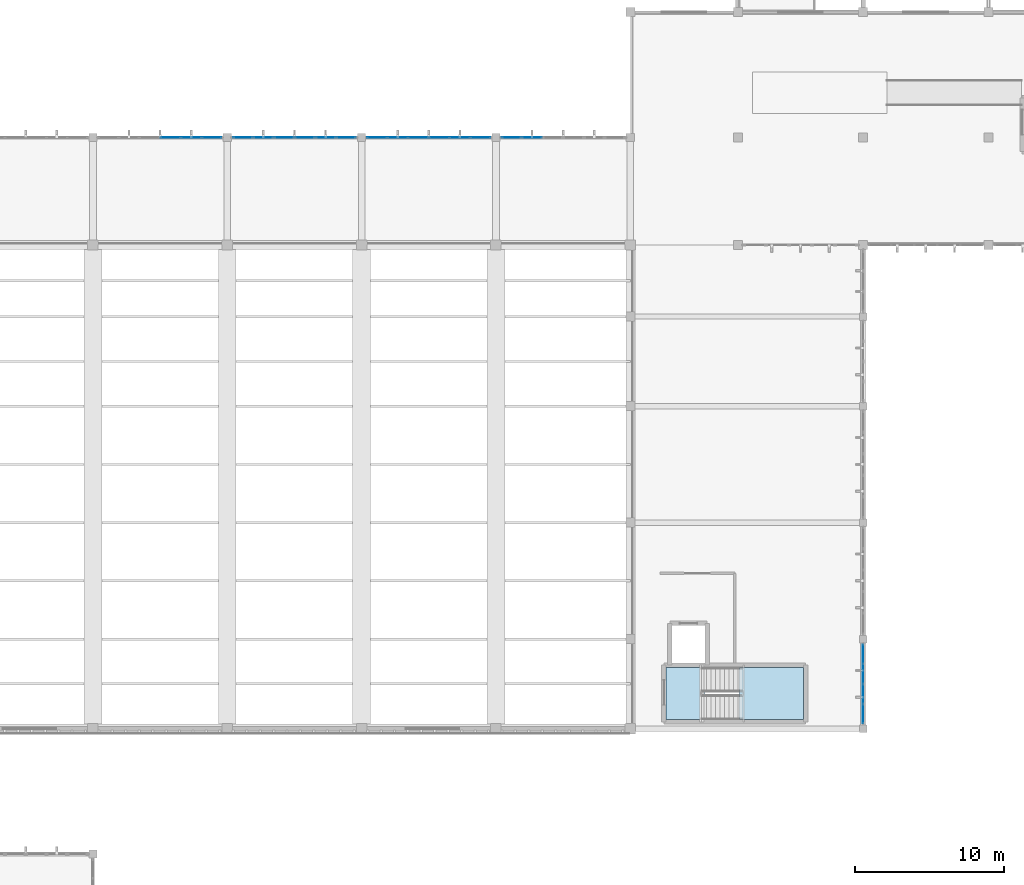
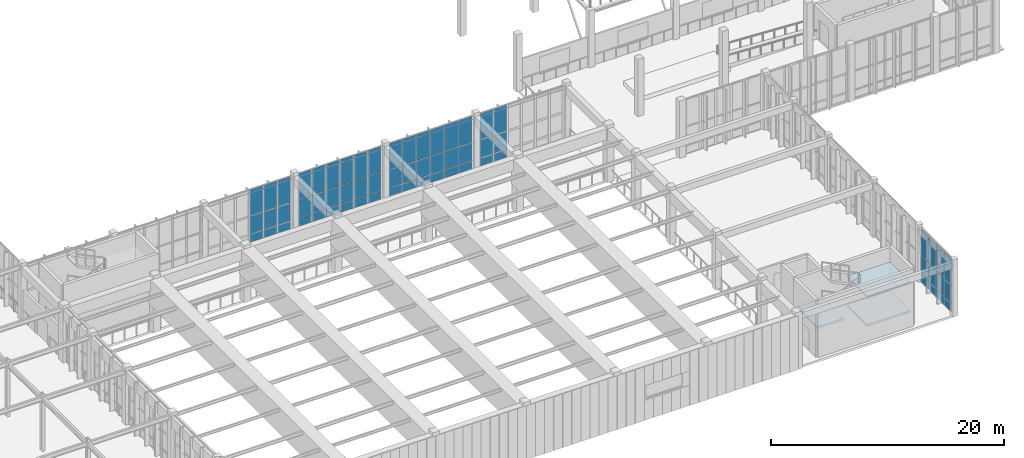
# One storey, part 64 of 105: 63 plates, 3 slabs, 6 elements without a shape of their own.
"""IFC4 building model written with IfcOpenShell, lengths in metres."""

from ifc_helpers import new_model, si_unit, direction, frame, origin, origin_2d, place, context, subcontext, project, spatial, polyline, rectangle, outline, extrude, material, layer, layer_set, type_object, element, aggregate, save


model = new_model("IFC4")

# Units and contexts
model_context = context("Model", 3, precision=1e-05, world=origin(), true_north=direction((0.0, 1.0)))
body_context = subcontext(model_context, "Body", "Model", "MODEL_VIEW")
ifc_project = project(units=[si_unit("LENGTHUNIT", "METRE"), si_unit("AREAUNIT", "SQUARE_METRE"), si_unit("VOLUMEUNIT", "CUBIC_METRE"), si_unit("PLANEANGLEUNIT", "RADIAN"), si_unit("MASSUNIT", "GRAM", prefix="KILO")], contexts=[model_context])

# Site, building, storey
site_placement = place(None, origin())
site = spatial("IfcSite", under=ifc_project, at=site_placement, CompositionType="ELEMENT")
building_placement = place(site_placement, origin())
building = spatial("IfcBuilding", under=site, at=building_placement, Name="Tizgana Railside Sports Hall", CompositionType="ELEMENT")
storey_placement = place(building_placement, frame((0.0, 0.0, 6.0)))
storey = spatial("IfcBuildingStorey", under=building, at=storey_placement, Name="L01", CompositionType="ELEMENT", Elevation=6.0)

# Curtain wall, plates
ifc_material_1 = material(Name="Anodised aluminium and glass", Category="aluminium")
curtain_wall_type_1 = type_object("IfcCurtainWallType", Name="Unitised Curtain Wall Passage 1800", PredefinedType="NOTDEFINED", material=ifc_material_1)
curtain_wall_1_placement = place(storey_placement, origin())
curtain_wall_1 = element("IfcCurtainWall", 1, at=curtain_wall_1_placement, inside=storey, type_object=curtain_wall_type_1, Name="L01 Curtain Wall CW-0021", PredefinedType="NOTDEFINED")
ifc_material_2 = material(Name="Double low-E laminated glass", Category="glass")
ifc_layer_1 = layer(ifc_material_2, 0.033935546875, Name="Double low-E laminated glass")
ifc_layer_set_1 = layer_set([ifc_layer_1], Name="Double low-E laminated glass")
plate_type_1 = type_object("IfcPlateType", Name="Acoustic Laminated Glazing Panel 34", PredefinedType="CURTAIN_PANEL", material=ifc_layer_set_1)
plate_1_placement = place(storey_placement, frame((102.9951171875, 80.39990234375, 0.06494140625), z_axis=(0.0, 0.0, 1.0), x_axis=(1.0, 0.0, 0.0)))
plate_1 = element("IfcPlate", 2, at=plate_1_placement, type_object=plate_type_1, Name="CW-06 panel 4.1", PredefinedType="CURTAIN_PANEL", context=body_context, shape_type="SweptSolid", body=[
    extrude(rectangle(XDim=1.324951171875, YDim=0.033935546875, at=origin_2d()), origin(), (0.0, 0.0, 1.0), 0.802490234375),
])
plate_2_placement = place(storey_placement, frame((102.9951171875, 80.39990234375, 0.9326171875), z_axis=(0.0, 0.0, 1.0), x_axis=(1.0, 0.0, 0.0)))
plate_2 = element("IfcPlate", 3, at=plate_2_placement, type_object=plate_type_1, Name="CW-06 panel 4.2", PredefinedType="CURTAIN_PANEL", context=body_context, shape_type="SweptSolid", body=[
    extrude(rectangle(XDim=1.324951171875, YDim=0.033935546875, at=origin_2d()), origin(), (0.0, 0.0, 1.0), 1.85498046875),
])
plate_3_placement = place(storey_placement, frame((102.9951171875, 80.39990234375, 2.8525390625), z_axis=(0.0, 0.0, 1.0), x_axis=(1.0, 0.0, 0.0)))
plate_3 = element("IfcPlate", 4, at=plate_3_placement, type_object=plate_type_1, Name="CW-06 panel 4.3", PredefinedType="CURTAIN_PANEL", context=body_context, shape_type="SweptSolid", body=[
    extrude(rectangle(XDim=1.324951171875, YDim=0.033935546875, at=origin_2d()), origin(), (0.0, 0.0, 1.0), 2.722412109375),
])
plate_4_placement = place(storey_placement, frame((104.385009765625, 80.39990234375, 0.06494140625), z_axis=(0.0, 0.0, 1.0), x_axis=(1.0, 0.0, 0.0)))
plate_4 = element("IfcPlate", 5, at=plate_4_placement, type_object=plate_type_1, Name="CW-06 panel 5.1", PredefinedType="CURTAIN_PANEL", context=body_context, shape_type="SweptSolid", body=[
    extrude(rectangle(XDim=1.324951171875, YDim=0.033935546875, at=origin_2d()), origin(), (0.0, 0.0, 1.0), 0.802490234375),
])
plate_5_placement = place(storey_placement, frame((104.385009765625, 80.39990234375, 0.9326171875), z_axis=(0.0, 0.0, 1.0), x_axis=(1.0, 0.0, 0.0)))
plate_5 = element("IfcPlate", 6, at=plate_5_placement, type_object=plate_type_1, Name="CW-06 panel 5.2", PredefinedType="CURTAIN_PANEL", context=body_context, shape_type="SweptSolid", body=[
    extrude(rectangle(XDim=1.324951171875, YDim=0.033935546875, at=origin_2d()), origin(), (0.0, 0.0, 1.0), 1.85498046875),
])
plate_6_placement = place(storey_placement, frame((104.385009765625, 80.39990234375, 2.8525390625), z_axis=(0.0, 0.0, 1.0), x_axis=(1.0, 0.0, 0.0)))
plate_6 = element("IfcPlate", 7, at=plate_6_placement, type_object=plate_type_1, Name="CW-06 panel 5.3", PredefinedType="CURTAIN_PANEL", context=body_context, shape_type="SweptSolid", body=[
    extrude(rectangle(XDim=1.324951171875, YDim=0.033935546875, at=origin_2d()), origin(), (0.0, 0.0, 1.0), 2.722412109375),
])
plate_7_placement = place(storey_placement, frame((105.7587890625, 80.39990234375, 0.06494140625), z_axis=(0.0, 0.0, 1.0), x_axis=(1.0, 0.0, 0.0)))
plate_7 = element("IfcPlate", 8, at=plate_7_placement, type_object=plate_type_1, Name="CW-06 panel 6.1", PredefinedType="CURTAIN_PANEL", context=body_context, shape_type="SweptSolid", body=[
    extrude(rectangle(XDim=1.29248046875, YDim=0.033935546875, at=origin_2d()), origin(), (0.0, 0.0, 1.0), 0.802490234375),
])
plate_8_placement = place(storey_placement, frame((105.7587890625, 80.39990234375, 0.9326171875), z_axis=(0.0, 0.0, 1.0), x_axis=(1.0, 0.0, 0.0)))
plate_8 = element("IfcPlate", 9, at=plate_8_placement, type_object=plate_type_1, Name="CW-06 panel 6.2", PredefinedType="CURTAIN_PANEL", context=body_context, shape_type="SweptSolid", body=[
    extrude(rectangle(XDim=1.29248046875, YDim=0.033935546875, at=origin_2d()), origin(), (0.0, 0.0, 1.0), 1.85498046875),
])
plate_9_placement = place(storey_placement, frame((105.7587890625, 80.39990234375, 2.8525390625), z_axis=(0.0, 0.0, 1.0), x_axis=(1.0, 0.0, 0.0)))
plate_9 = element("IfcPlate", 10, at=plate_9_placement, type_object=plate_type_1, Name="CW-06 panel 6.3", PredefinedType="CURTAIN_PANEL", context=body_context, shape_type="SweptSolid", body=[
    extrude(rectangle(XDim=1.29248046875, YDim=0.033935546875, at=origin_2d()), origin(), (0.0, 0.0, 1.0), 2.722412109375),
])
aggregate(curtain_wall_1, [plate_1, plate_2, plate_3, plate_4, plate_5, plate_6, plate_7, plate_8, plate_9])

# Stair, slabs
ifc_material_3 = material(Name="Concrete C35/45", Category="concrete")
stair_type = type_object("IfcStairType", Name="Core Protected Stair 1500", PredefinedType="HALF_TURN_STAIR", material=ifc_material_3)
stair_placement = place(storey_placement, origin())
stair = element("IfcStair", 11, at=stair_placement, inside=storey, type_object=stair_type, Name="L01 Core Stair ST-05", PredefinedType="HALF_TURN_STAIR")
ifc_layer_2 = layer(ifc_material_3, 0.199951171875, Name="Concrete C35/45")
ifc_layer_set_2 = layer_set([ifc_layer_2], Name="Concrete C35/45")
slab_type = type_object("IfcSlabType", Name="Core Stair Landing Slab 200", PredefinedType="LANDING", material=ifc_layer_set_2)
slab_1_placement = place(storey_placement, frame((0.0, 0.0, 1.300048828125)))
slab_1 = element("IfcSlab", 12, at=slab_1_placement, type_object=slab_type, Name="ST-05 landing 1", PredefinedType="LANDING", context=body_context, shape_type="SweptSolid", body=[
    extrude(outline(polyline([(141.1201171875, 41.39990234375), (145.39990234375, 41.39990234375), (145.39990234375, 44.89990234375), (141.1201171875, 44.89990234375), (141.1201171875, 41.39990234375)])), origin(), (0.0, 0.0, 1.0), 0.199951171875),
])
slab_2_placement = place(storey_placement, frame((0.0, 0.0, 2.800048828125)))
slab_2 = element("IfcSlab", 13, at=slab_2_placement, type_object=slab_type, Name="ST-05 landing 2", PredefinedType="LANDING", context=body_context, shape_type="SweptSolid", body=[
    extrude(outline(polyline([(136.199951171875, 41.39990234375), (138.780029296875, 41.39990234375), (138.780029296875, 44.89990234375), (136.199951171875, 44.89990234375), (136.199951171875, 41.39990234375)])), origin(), (0.0, 0.0, 1.0), 0.199951171875),
])
slab_3_placement = place(storey_placement, frame((0.0, 0.0, 4.300048828125)))
slab_3 = element("IfcSlab", 14, at=slab_3_placement, type_object=slab_type, Name="ST-05 landing 3", PredefinedType="LANDING", context=body_context, shape_type="SweptSolid", body=[
    extrude(outline(polyline([(141.1201171875, 41.39990234375), (145.39990234375, 41.39990234375), (145.39990234375, 44.89990234375), (141.1201171875, 44.89990234375), (141.1201171875, 41.39990234375)])), origin(), (0.0, 0.0, 1.0), 0.199951171875),
])
aggregate(stair, [slab_1, slab_2, slab_3])

# Curtain wall, plates
curtain_wall_type_2 = type_object("IfcCurtainWallType", Name="Unitised Curtain Wall Studio 1400", PredefinedType="NOTDEFINED", material=ifc_material_1)
curtain_wall_2_placement = place(storey_placement, origin())
curtain_wall_2 = element("IfcCurtainWall", 15, at=curtain_wall_2_placement, inside=storey, type_object=curtain_wall_type_2, Name="L01 Curtain Wall CW-0026", PredefinedType="NOTDEFINED")
ifc_layer_3 = layer(ifc_material_2, 0.0400390625, Name="Double low-E laminated glass")
ifc_layer_set_3 = layer_set([ifc_layer_3], Name="Double low-E laminated glass")
plate_type_2 = type_object("IfcPlateType", Name="High-Span Tempered Glazing Panel 40", PredefinedType="CURTAIN_PANEL", material=ifc_layer_set_3)
plate_10_placement = place(storey_placement, frame((116.840087890625, 80.39990234375, 0.06005859375), z_axis=(0.0, 0.0, 1.0), x_axis=(1.0, 0.0, 0.0)))
plate_10 = element("IfcPlate", 16, at=plate_10_placement, type_object=plate_type_2, Name="CW-03 panel 1.1", PredefinedType="CURTAIN_PANEL", context=body_context, shape_type="SweptSolid", body=[
    extrude(rectangle(XDim=1.300048828125, YDim=0.0400390625, at=origin_2d()), origin(), (0.0, 0.0, 1.0), 0.81005859375),
])
plate_11_placement = place(storey_placement, frame((116.840087890625, 80.39990234375, 0.93017578125), z_axis=(0.0, 0.0, 1.0), x_axis=(1.0, 0.0, 0.0)))
plate_11 = element("IfcPlate", 17, at=plate_11_placement, type_object=plate_type_2, Name="CW-03 panel 1.2", PredefinedType="CURTAIN_PANEL", context=body_context, shape_type="SweptSolid", body=[
    extrude(rectangle(XDim=1.300048828125, YDim=0.0400390625, at=origin_2d()), origin(), (0.0, 0.0, 1.0), 1.860107421875),
])
plate_12_placement = place(storey_placement, frame((116.840087890625, 80.39990234375, 2.85009765625), z_axis=(0.0, 0.0, 1.0), x_axis=(1.0, 0.0, 0.0)))
plate_12 = element("IfcPlate", 18, at=plate_12_placement, type_object=plate_type_2, Name="CW-03 panel 1.3", PredefinedType="CURTAIN_PANEL", context=body_context, shape_type="SweptSolid", body=[
    extrude(rectangle(XDim=1.300048828125, YDim=0.0400390625, at=origin_2d()), origin(), (0.0, 0.0, 1.0), 2.72998046875),
])
plate_13_placement = place(storey_placement, frame((118.215087890625, 80.39990234375, 0.06005859375), z_axis=(0.0, 0.0, 1.0), x_axis=(1.0, 0.0, 0.0)))
plate_13 = element("IfcPlate", 19, at=plate_13_placement, type_object=plate_type_2, Name="CW-03 panel 2.1", PredefinedType="CURTAIN_PANEL", context=body_context, shape_type="SweptSolid", body=[
    extrude(rectangle(XDim=1.330078125, YDim=0.0400390625, at=origin_2d()), origin(), (0.0, 0.0, 1.0), 0.81005859375),
])
plate_14_placement = place(storey_placement, frame((118.215087890625, 80.39990234375, 0.93017578125), z_axis=(0.0, 0.0, 1.0), x_axis=(1.0, 0.0, 0.0)))
plate_14 = element("IfcPlate", 20, at=plate_14_placement, type_object=plate_type_2, Name="CW-03 panel 2.2", PredefinedType="CURTAIN_PANEL", context=body_context, shape_type="SweptSolid", body=[
    extrude(rectangle(XDim=1.330078125, YDim=0.0400390625, at=origin_2d()), origin(), (0.0, 0.0, 1.0), 1.860107421875),
])
plate_15_placement = place(storey_placement, frame((118.215087890625, 80.39990234375, 2.85009765625), z_axis=(0.0, 0.0, 1.0), x_axis=(1.0, 0.0, 0.0)))
plate_15 = element("IfcPlate", 21, at=plate_15_placement, type_object=plate_type_2, Name="CW-03 panel 2.3", PredefinedType="CURTAIN_PANEL", context=body_context, shape_type="SweptSolid", body=[
    extrude(rectangle(XDim=1.330078125, YDim=0.0400390625, at=origin_2d()), origin(), (0.0, 0.0, 1.0), 2.72998046875),
])
plate_16_placement = place(storey_placement, frame((119.60498046875, 80.39990234375, 0.06005859375), z_axis=(0.0, 0.0, 1.0), x_axis=(1.0, 0.0, 0.0)))
plate_16 = element("IfcPlate", 22, at=plate_16_placement, type_object=plate_type_2, Name="CW-03 panel 3.1", PredefinedType="CURTAIN_PANEL", context=body_context, shape_type="SweptSolid", body=[
    extrude(rectangle(XDim=1.330078125, YDim=0.0400390625, at=origin_2d()), origin(), (0.0, 0.0, 1.0), 0.81005859375),
])
plate_17_placement = place(storey_placement, frame((119.60498046875, 80.39990234375, 0.93017578125), z_axis=(0.0, 0.0, 1.0), x_axis=(1.0, 0.0, 0.0)))
plate_17 = element("IfcPlate", 23, at=plate_17_placement, type_object=plate_type_2, Name="CW-03 panel 3.2", PredefinedType="CURTAIN_PANEL", context=body_context, shape_type="SweptSolid", body=[
    extrude(rectangle(XDim=1.330078125, YDim=0.0400390625, at=origin_2d()), origin(), (0.0, 0.0, 1.0), 1.860107421875),
])
plate_18_placement = place(storey_placement, frame((119.60498046875, 80.39990234375, 2.85009765625), z_axis=(0.0, 0.0, 1.0), x_axis=(1.0, 0.0, 0.0)))
plate_18 = element("IfcPlate", 24, at=plate_18_placement, type_object=plate_type_2, Name="CW-03 panel 3.3", PredefinedType="CURTAIN_PANEL", context=body_context, shape_type="SweptSolid", body=[
    extrude(rectangle(XDim=1.330078125, YDim=0.0400390625, at=origin_2d()), origin(), (0.0, 0.0, 1.0), 2.72998046875),
])
plate_19_placement = place(storey_placement, frame((120.9951171875, 80.39990234375, 0.06005859375), z_axis=(0.0, 0.0, 1.0), x_axis=(1.0, 0.0, 0.0)))
plate_19 = element("IfcPlate", 25, at=plate_19_placement, type_object=plate_type_2, Name="CW-03 panel 4.1", PredefinedType="CURTAIN_PANEL", context=body_context, shape_type="SweptSolid", body=[
    extrude(rectangle(XDim=1.330078125, YDim=0.0400390625, at=origin_2d()), origin(), (0.0, 0.0, 1.0), 0.81005859375),
])
plate_20_placement = place(storey_placement, frame((120.9951171875, 80.39990234375, 0.93017578125), z_axis=(0.0, 0.0, 1.0), x_axis=(1.0, 0.0, 0.0)))
plate_20 = element("IfcPlate", 26, at=plate_20_placement, type_object=plate_type_2, Name="CW-03 panel 4.2", PredefinedType="CURTAIN_PANEL", context=body_context, shape_type="SweptSolid", body=[
    extrude(rectangle(XDim=1.330078125, YDim=0.0400390625, at=origin_2d()), origin(), (0.0, 0.0, 1.0), 1.860107421875),
])
plate_21_placement = place(storey_placement, frame((120.9951171875, 80.39990234375, 2.85009765625), z_axis=(0.0, 0.0, 1.0), x_axis=(1.0, 0.0, 0.0)))
plate_21 = element("IfcPlate", 27, at=plate_21_placement, type_object=plate_type_2, Name="CW-03 panel 4.3", PredefinedType="CURTAIN_PANEL", context=body_context, shape_type="SweptSolid", body=[
    extrude(rectangle(XDim=1.330078125, YDim=0.0400390625, at=origin_2d()), origin(), (0.0, 0.0, 1.0), 2.72998046875),
])
plate_22_placement = place(storey_placement, frame((122.385009765625, 80.39990234375, 0.06005859375), z_axis=(0.0, 0.0, 1.0), x_axis=(1.0, 0.0, 0.0)))
plate_22 = element("IfcPlate", 28, at=plate_22_placement, type_object=plate_type_2, Name="CW-03 panel 5.1", PredefinedType="CURTAIN_PANEL", context=body_context, shape_type="SweptSolid", body=[
    extrude(rectangle(XDim=1.330078125, YDim=0.0400390625, at=origin_2d()), origin(), (0.0, 0.0, 1.0), 0.81005859375),
])
plate_23_placement = place(storey_placement, frame((122.385009765625, 80.39990234375, 0.93017578125), z_axis=(0.0, 0.0, 1.0), x_axis=(1.0, 0.0, 0.0)))
plate_23 = element("IfcPlate", 29, at=plate_23_placement, type_object=plate_type_2, Name="CW-03 panel 5.2", PredefinedType="CURTAIN_PANEL", context=body_context, shape_type="SweptSolid", body=[
    extrude(rectangle(XDim=1.330078125, YDim=0.0400390625, at=origin_2d()), origin(), (0.0, 0.0, 1.0), 1.860107421875),
])
plate_24_placement = place(storey_placement, frame((122.385009765625, 80.39990234375, 2.85009765625), z_axis=(0.0, 0.0, 1.0), x_axis=(1.0, 0.0, 0.0)))
plate_24 = element("IfcPlate", 30, at=plate_24_placement, type_object=plate_type_2, Name="CW-03 panel 5.3", PredefinedType="CURTAIN_PANEL", context=body_context, shape_type="SweptSolid", body=[
    extrude(rectangle(XDim=1.330078125, YDim=0.0400390625, at=origin_2d()), origin(), (0.0, 0.0, 1.0), 2.72998046875),
])
plate_25_placement = place(storey_placement, frame((123.760009765625, 80.39990234375, 0.06005859375), z_axis=(0.0, 0.0, 1.0), x_axis=(1.0, 0.0, 0.0)))
plate_25 = element("IfcPlate", 31, at=plate_25_placement, type_object=plate_type_2, Name="CW-03 panel 6.1", PredefinedType="CURTAIN_PANEL", context=body_context, shape_type="SweptSolid", body=[
    extrude(rectangle(XDim=1.300048828125, YDim=0.0400390625, at=origin_2d()), origin(), (0.0, 0.0, 1.0), 0.81005859375),
])
plate_26_placement = place(storey_placement, frame((123.760009765625, 80.39990234375, 0.93017578125), z_axis=(0.0, 0.0, 1.0), x_axis=(1.0, 0.0, 0.0)))
plate_26 = element("IfcPlate", 32, at=plate_26_placement, type_object=plate_type_2, Name="CW-03 panel 6.2", PredefinedType="CURTAIN_PANEL", context=body_context, shape_type="SweptSolid", body=[
    extrude(rectangle(XDim=1.300048828125, YDim=0.0400390625, at=origin_2d()), origin(), (0.0, 0.0, 1.0), 1.860107421875),
])
plate_27_placement = place(storey_placement, frame((123.760009765625, 80.39990234375, 2.85009765625), z_axis=(0.0, 0.0, 1.0), x_axis=(1.0, 0.0, 0.0)))
plate_27 = element("IfcPlate", 33, at=plate_27_placement, type_object=plate_type_2, Name="CW-03 panel 6.3", PredefinedType="CURTAIN_PANEL", context=body_context, shape_type="SweptSolid", body=[
    extrude(rectangle(XDim=1.300048828125, YDim=0.0400390625, at=origin_2d()), origin(), (0.0, 0.0, 1.0), 2.72998046875),
])
aggregate(curtain_wall_2, [plate_10, plate_11, plate_12, plate_13, plate_14, plate_15, plate_16, plate_17, plate_18, plate_19, plate_20, plate_21, plate_22, plate_23, plate_24, plate_25, plate_26, plate_27])

curtain_wall_type_3 = type_object("IfcCurtainWallType", Name="Unitised Curtain Wall EastHall 1500", PredefinedType="NOTDEFINED", material=ifc_material_1)
curtain_wall_3_placement = place(storey_placement, origin())
curtain_wall_3 = element("IfcCurtainWall", 34, at=curtain_wall_3_placement, inside=storey, type_object=curtain_wall_type_3, Name="L01 Curtain Wall CW-0023", PredefinedType="NOTDEFINED")
ifc_layer_4 = layer(ifc_material_2, 0.031982421875, Name="Double low-E laminated glass")
ifc_layer_set_4 = layer_set([ifc_layer_4], Name="Double low-E laminated glass")
plate_type_3 = type_object("IfcPlateType", Name="North-Light Clerestory Glazing Panel 32", PredefinedType="CURTAIN_PANEL", material=ifc_layer_set_4)
plate_28_placement = place(storey_placement, frame((107.84375, 80.39990234375, 0.05517578125), z_axis=(0.0, 0.0, 1.0), x_axis=(1.0, 0.0, 0.0)))
plate_28 = element("IfcPlate", 35, at=plate_28_placement, type_object=plate_type_3, Name="CW-08 panel 1.1", PredefinedType="CURTAIN_PANEL", context=body_context, shape_type="SweptSolid", body=[
    extrude(rectangle(XDim=1.277587890625, YDim=0.031982421875, at=origin_2d()), origin(), (0.0, 0.0, 1.0), 0.8173828125),
])
plate_29_placement = place(storey_placement, frame((107.84375, 80.39990234375, 0.927734375), z_axis=(0.0, 0.0, 1.0), x_axis=(1.0, 0.0, 0.0)))
plate_29 = element("IfcPlate", 36, at=plate_29_placement, type_object=plate_type_3, Name="CW-08 panel 1.2", PredefinedType="CURTAIN_PANEL", context=body_context, shape_type="SweptSolid", body=[
    extrude(rectangle(XDim=1.277587890625, YDim=0.031982421875, at=origin_2d()), origin(), (0.0, 0.0, 1.0), 1.864990234375),
])
plate_30_placement = place(storey_placement, frame((107.84375, 80.39990234375, 2.84765625), z_axis=(0.0, 0.0, 1.0), x_axis=(1.0, 0.0, 0.0)))
plate_30 = element("IfcPlate", 37, at=plate_30_placement, type_object=plate_type_3, Name="CW-08 panel 1.3", PredefinedType="CURTAIN_PANEL", context=body_context, shape_type="SweptSolid", body=[
    extrude(rectangle(XDim=1.277587890625, YDim=0.031982421875, at=origin_2d()), origin(), (0.0, 0.0, 1.0), 2.737548828125),
])
plate_31_placement = place(storey_placement, frame((109.215087890625, 80.39990234375, 0.05517578125), z_axis=(0.0, 0.0, 1.0), x_axis=(1.0, 0.0, 0.0)))
plate_31 = element("IfcPlate", 38, at=plate_31_placement, type_object=plate_type_3, Name="CW-08 panel 2.1", PredefinedType="CURTAIN_PANEL", context=body_context, shape_type="SweptSolid", body=[
    extrude(rectangle(XDim=1.31494140625, YDim=0.031982421875, at=origin_2d()), origin(), (0.0, 0.0, 1.0), 0.8173828125),
])
plate_32_placement = place(storey_placement, frame((109.215087890625, 80.39990234375, 0.927734375), z_axis=(0.0, 0.0, 1.0), x_axis=(1.0, 0.0, 0.0)))
plate_32 = element("IfcPlate", 39, at=plate_32_placement, type_object=plate_type_3, Name="CW-08 panel 2.2", PredefinedType="CURTAIN_PANEL", context=body_context, shape_type="SweptSolid", body=[
    extrude(rectangle(XDim=1.31494140625, YDim=0.031982421875, at=origin_2d()), origin(), (0.0, 0.0, 1.0), 1.864990234375),
])
plate_33_placement = place(storey_placement, frame((109.215087890625, 80.39990234375, 2.84765625), z_axis=(0.0, 0.0, 1.0), x_axis=(1.0, 0.0, 0.0)))
plate_33 = element("IfcPlate", 40, at=plate_33_placement, type_object=plate_type_3, Name="CW-08 panel 2.3", PredefinedType="CURTAIN_PANEL", context=body_context, shape_type="SweptSolid", body=[
    extrude(rectangle(XDim=1.31494140625, YDim=0.031982421875, at=origin_2d()), origin(), (0.0, 0.0, 1.0), 2.737548828125),
])
plate_34_placement = place(storey_placement, frame((110.60498046875, 80.39990234375, 0.05517578125), z_axis=(0.0, 0.0, 1.0), x_axis=(1.0, 0.0, 0.0)))
plate_34 = element("IfcPlate", 41, at=plate_34_placement, type_object=plate_type_3, Name="CW-08 panel 3.1", PredefinedType="CURTAIN_PANEL", context=body_context, shape_type="SweptSolid", body=[
    extrude(rectangle(XDim=1.31494140625, YDim=0.031982421875, at=origin_2d()), origin(), (0.0, 0.0, 1.0), 0.8173828125),
])
plate_35_placement = place(storey_placement, frame((110.60498046875, 80.39990234375, 0.927734375), z_axis=(0.0, 0.0, 1.0), x_axis=(1.0, 0.0, 0.0)))
plate_35 = element("IfcPlate", 42, at=plate_35_placement, type_object=plate_type_3, Name="CW-08 panel 3.2", PredefinedType="CURTAIN_PANEL", context=body_context, shape_type="SweptSolid", body=[
    extrude(rectangle(XDim=1.31494140625, YDim=0.031982421875, at=origin_2d()), origin(), (0.0, 0.0, 1.0), 1.864990234375),
])
plate_36_placement = place(storey_placement, frame((110.60498046875, 80.39990234375, 2.84765625), z_axis=(0.0, 0.0, 1.0), x_axis=(1.0, 0.0, 0.0)))
plate_36 = element("IfcPlate", 43, at=plate_36_placement, type_object=plate_type_3, Name="CW-08 panel 3.3", PredefinedType="CURTAIN_PANEL", context=body_context, shape_type="SweptSolid", body=[
    extrude(rectangle(XDim=1.31494140625, YDim=0.031982421875, at=origin_2d()), origin(), (0.0, 0.0, 1.0), 2.737548828125),
])
plate_37_placement = place(storey_placement, frame((111.9951171875, 80.39990234375, 0.05517578125), z_axis=(0.0, 0.0, 1.0), x_axis=(1.0, 0.0, 0.0)))
plate_37 = element("IfcPlate", 44, at=plate_37_placement, type_object=plate_type_3, Name="CW-08 panel 4.1", PredefinedType="CURTAIN_PANEL", context=body_context, shape_type="SweptSolid", body=[
    extrude(rectangle(XDim=1.31494140625, YDim=0.031982421875, at=origin_2d()), origin(), (0.0, 0.0, 1.0), 0.8173828125),
])
plate_38_placement = place(storey_placement, frame((111.9951171875, 80.39990234375, 0.927734375), z_axis=(0.0, 0.0, 1.0), x_axis=(1.0, 0.0, 0.0)))
plate_38 = element("IfcPlate", 45, at=plate_38_placement, type_object=plate_type_3, Name="CW-08 panel 4.2", PredefinedType="CURTAIN_PANEL", context=body_context, shape_type="SweptSolid", body=[
    extrude(rectangle(XDim=1.31494140625, YDim=0.031982421875, at=origin_2d()), origin(), (0.0, 0.0, 1.0), 1.864990234375),
])
plate_39_placement = place(storey_placement, frame((111.9951171875, 80.39990234375, 2.84765625), z_axis=(0.0, 0.0, 1.0), x_axis=(1.0, 0.0, 0.0)))
plate_39 = element("IfcPlate", 46, at=plate_39_placement, type_object=plate_type_3, Name="CW-08 panel 4.3", PredefinedType="CURTAIN_PANEL", context=body_context, shape_type="SweptSolid", body=[
    extrude(rectangle(XDim=1.31494140625, YDim=0.031982421875, at=origin_2d()), origin(), (0.0, 0.0, 1.0), 2.737548828125),
])
plate_40_placement = place(storey_placement, frame((113.385009765625, 80.39990234375, 0.05517578125), z_axis=(0.0, 0.0, 1.0), x_axis=(1.0, 0.0, 0.0)))
plate_40 = element("IfcPlate", 47, at=plate_40_placement, type_object=plate_type_3, Name="CW-08 panel 5.1", PredefinedType="CURTAIN_PANEL", context=body_context, shape_type="SweptSolid", body=[
    extrude(rectangle(XDim=1.31494140625, YDim=0.031982421875, at=origin_2d()), origin(), (0.0, 0.0, 1.0), 0.8173828125),
])
plate_41_placement = place(storey_placement, frame((113.385009765625, 80.39990234375, 0.927734375), z_axis=(0.0, 0.0, 1.0), x_axis=(1.0, 0.0, 0.0)))
plate_41 = element("IfcPlate", 48, at=plate_41_placement, type_object=plate_type_3, Name="CW-08 panel 5.2", PredefinedType="CURTAIN_PANEL", context=body_context, shape_type="SweptSolid", body=[
    extrude(rectangle(XDim=1.31494140625, YDim=0.031982421875, at=origin_2d()), origin(), (0.0, 0.0, 1.0), 1.864990234375),
])
plate_42_placement = place(storey_placement, frame((113.385009765625, 80.39990234375, 2.84765625), z_axis=(0.0, 0.0, 1.0), x_axis=(1.0, 0.0, 0.0)))
plate_42 = element("IfcPlate", 49, at=plate_42_placement, type_object=plate_type_3, Name="CW-08 panel 5.3", PredefinedType="CURTAIN_PANEL", context=body_context, shape_type="SweptSolid", body=[
    extrude(rectangle(XDim=1.31494140625, YDim=0.031982421875, at=origin_2d()), origin(), (0.0, 0.0, 1.0), 2.737548828125),
])
plate_43_placement = place(storey_placement, frame((114.75634765625, 80.39990234375, 0.05517578125), z_axis=(0.0, 0.0, 1.0), x_axis=(1.0, 0.0, 0.0)))
plate_43 = element("IfcPlate", 50, at=plate_43_placement, type_object=plate_type_3, Name="CW-08 panel 6.1", PredefinedType="CURTAIN_PANEL", context=body_context, shape_type="SweptSolid", body=[
    extrude(rectangle(XDim=1.277587890625, YDim=0.031982421875, at=origin_2d()), origin(), (0.0, 0.0, 1.0), 0.8173828125),
])
plate_44_placement = place(storey_placement, frame((114.75634765625, 80.39990234375, 0.927734375), z_axis=(0.0, 0.0, 1.0), x_axis=(1.0, 0.0, 0.0)))
plate_44 = element("IfcPlate", 51, at=plate_44_placement, type_object=plate_type_3, Name="CW-08 panel 6.2", PredefinedType="CURTAIN_PANEL", context=body_context, shape_type="SweptSolid", body=[
    extrude(rectangle(XDim=1.277587890625, YDim=0.031982421875, at=origin_2d()), origin(), (0.0, 0.0, 1.0), 1.864990234375),
])
plate_45_placement = place(storey_placement, frame((114.75634765625, 80.39990234375, 2.84765625), z_axis=(0.0, 0.0, 1.0), x_axis=(1.0, 0.0, 0.0)))
plate_45 = element("IfcPlate", 52, at=plate_45_placement, type_object=plate_type_3, Name="CW-08 panel 6.3", PredefinedType="CURTAIN_PANEL", context=body_context, shape_type="SweptSolid", body=[
    extrude(rectangle(XDim=1.277587890625, YDim=0.031982421875, at=origin_2d()), origin(), (0.0, 0.0, 1.0), 2.737548828125),
])
aggregate(curtain_wall_3, [plate_28, plate_29, plate_30, plate_31, plate_32, plate_33, plate_34, plate_35, plate_36, plate_37, plate_38, plate_39, plate_40, plate_41, plate_42, plate_43, plate_44, plate_45])

curtain_wall_4_placement = place(storey_placement, origin())
curtain_wall_4 = element("IfcCurtainWall", 53, at=curtain_wall_4_placement, inside=storey, type_object=curtain_wall_type_3, Name="L01 Curtain Wall CW-0031", PredefinedType="NOTDEFINED")
plate_46_placement = place(storey_placement, frame((149.39990234375, 41.793701171875, 0.06005859375), z_axis=(0.0, 0.0, 1.0), x_axis=(0.0, 1.0, 0.0)))
plate_46 = element("IfcPlate", 54, at=plate_46_placement, type_object=plate_type_3, Name="CW-08 panel 1.1", PredefinedType="CURTAIN_PANEL", context=body_context, shape_type="SweptSolid", body=[
    extrude(rectangle(XDim=1.257568359375, YDim=0.031982421875, at=origin_2d()), origin(), (0.0, 0.0, 1.0), 0.81005859375),
])
plate_47_placement = place(storey_placement, frame((149.39990234375, 41.793701171875, 0.93017578125), z_axis=(0.0, 0.0, 1.0), x_axis=(0.0, 1.0, 0.0)))
plate_47 = element("IfcPlate", 55, at=plate_47_placement, type_object=plate_type_3, Name="CW-08 panel 1.2", PredefinedType="CURTAIN_PANEL", context=body_context, shape_type="SweptSolid", body=[
    extrude(rectangle(XDim=1.257568359375, YDim=0.031982421875, at=origin_2d()), origin(), (0.0, 0.0, 1.0), 1.885009765625),
])
plate_48_placement = place(storey_placement, frame((149.39990234375, 41.793701171875, 2.875), z_axis=(0.0, 0.0, 1.0), x_axis=(0.0, 1.0, 0.0)))
plate_48 = element("IfcPlate", 56, at=plate_48_placement, type_object=plate_type_3, Name="CW-08 panel 1.3", PredefinedType="CURTAIN_PANEL", context=body_context, shape_type="SweptSolid", body=[
    extrude(rectangle(XDim=1.257568359375, YDim=0.031982421875, at=origin_2d()), origin(), (0.0, 0.0, 1.0), 2.7548828125),
])
plate_49_placement = place(storey_placement, frame((149.39990234375, 43.126220703125, 0.06005859375), z_axis=(0.0, 0.0, 1.0), x_axis=(0.0, 1.0, 0.0)))
plate_49 = element("IfcPlate", 57, at=plate_49_placement, type_object=plate_type_3, Name="CW-08 panel 2.1", PredefinedType="CURTAIN_PANEL", context=body_context, shape_type="SweptSolid", body=[
    extrude(rectangle(XDim=1.28759765625, YDim=0.031982421875, at=origin_2d()), origin(), (0.0, 0.0, 1.0), 0.81005859375),
])
plate_50_placement = place(storey_placement, frame((149.39990234375, 43.126220703125, 0.93017578125), z_axis=(0.0, 0.0, 1.0), x_axis=(0.0, 1.0, 0.0)))
plate_50 = element("IfcPlate", 58, at=plate_50_placement, type_object=plate_type_3, Name="CW-08 panel 2.2", PredefinedType="CURTAIN_PANEL", context=body_context, shape_type="SweptSolid", body=[
    extrude(rectangle(XDim=1.28759765625, YDim=0.031982421875, at=origin_2d()), origin(), (0.0, 0.0, 1.0), 1.885009765625),
])
plate_51_placement = place(storey_placement, frame((149.39990234375, 43.126220703125, 2.875), z_axis=(0.0, 0.0, 1.0), x_axis=(0.0, 1.0, 0.0)))
plate_51 = element("IfcPlate", 59, at=plate_51_placement, type_object=plate_type_3, Name="CW-08 panel 2.3", PredefinedType="CURTAIN_PANEL", context=body_context, shape_type="SweptSolid", body=[
    extrude(rectangle(XDim=1.28759765625, YDim=0.031982421875, at=origin_2d()), origin(), (0.0, 0.0, 1.0), 2.7548828125),
])
plate_52_placement = place(storey_placement, frame((149.39990234375, 44.4736328125, 0.06005859375), z_axis=(0.0, 0.0, 1.0), x_axis=(0.0, 1.0, 0.0)))
plate_52 = element("IfcPlate", 60, at=plate_52_placement, type_object=plate_type_3, Name="CW-08 panel 3.1", PredefinedType="CURTAIN_PANEL", context=body_context, shape_type="SweptSolid", body=[
    extrude(rectangle(XDim=1.28759765625, YDim=0.031982421875, at=origin_2d()), origin(), (0.0, 0.0, 1.0), 0.81005859375),
])
plate_53_placement = place(storey_placement, frame((149.39990234375, 44.4736328125, 0.93017578125), z_axis=(0.0, 0.0, 1.0), x_axis=(0.0, 1.0, 0.0)))
plate_53 = element("IfcPlate", 61, at=plate_53_placement, type_object=plate_type_3, Name="CW-08 panel 3.2", PredefinedType="CURTAIN_PANEL", context=body_context, shape_type="SweptSolid", body=[
    extrude(rectangle(XDim=1.28759765625, YDim=0.031982421875, at=origin_2d()), origin(), (0.0, 0.0, 1.0), 1.885009765625),
])
plate_54_placement = place(storey_placement, frame((149.39990234375, 44.4736328125, 2.875), z_axis=(0.0, 0.0, 1.0), x_axis=(0.0, 1.0, 0.0)))
plate_54 = element("IfcPlate", 62, at=plate_54_placement, type_object=plate_type_3, Name="CW-08 panel 3.3", PredefinedType="CURTAIN_PANEL", context=body_context, shape_type="SweptSolid", body=[
    extrude(rectangle(XDim=1.28759765625, YDim=0.031982421875, at=origin_2d()), origin(), (0.0, 0.0, 1.0), 2.7548828125),
])
plate_55_placement = place(storey_placement, frame((149.39990234375, 45.80615234375, 0.06005859375), z_axis=(0.0, 0.0, 1.0), x_axis=(0.0, 1.0, 0.0)))
plate_55 = element("IfcPlate", 63, at=plate_55_placement, type_object=plate_type_3, Name="CW-08 panel 4.1", PredefinedType="CURTAIN_PANEL", context=body_context, shape_type="SweptSolid", body=[
    extrude(rectangle(XDim=1.257568359375, YDim=0.031982421875, at=origin_2d()), origin(), (0.0, 0.0, 1.0), 0.81005859375),
])
plate_56_placement = place(storey_placement, frame((149.39990234375, 45.80615234375, 0.93017578125), z_axis=(0.0, 0.0, 1.0), x_axis=(0.0, 1.0, 0.0)))
plate_56 = element("IfcPlate", 64, at=plate_56_placement, type_object=plate_type_3, Name="CW-08 panel 4.2", PredefinedType="CURTAIN_PANEL", context=body_context, shape_type="SweptSolid", body=[
    extrude(rectangle(XDim=1.257568359375, YDim=0.031982421875, at=origin_2d()), origin(), (0.0, 0.0, 1.0), 1.885009765625),
])
plate_57_placement = place(storey_placement, frame((149.39990234375, 45.80615234375, 2.875), z_axis=(0.0, 0.0, 1.0), x_axis=(0.0, 1.0, 0.0)))
plate_57 = element("IfcPlate", 65, at=plate_57_placement, type_object=plate_type_3, Name="CW-08 panel 4.3", PredefinedType="CURTAIN_PANEL", context=body_context, shape_type="SweptSolid", body=[
    extrude(rectangle(XDim=1.257568359375, YDim=0.031982421875, at=origin_2d()), origin(), (0.0, 0.0, 1.0), 2.7548828125),
])
aggregate(curtain_wall_4, [plate_46, plate_47, plate_48, plate_49, plate_50, plate_51, plate_52, plate_53, plate_54, plate_55, plate_56, plate_57])

curtain_wall_type_4 = type_object("IfcCurtainWallType", Name="Unitised Curtain Wall Clinic 1200", PredefinedType="NOTDEFINED", material=ifc_material_1)
curtain_wall_5_placement = place(storey_placement, origin())
curtain_wall_5 = element("IfcCurtainWall", 66, at=curtain_wall_5_placement, inside=storey, type_object=curtain_wall_type_4, Name="L01 Curtain Wall CW-0028", PredefinedType="NOTDEFINED")
ifc_layer_5 = layer(ifc_material_2, 0.028076171875, Name="Double low-E laminated glass")
ifc_layer_set_5 = layer_set([ifc_layer_5], Name="Double low-E laminated glass")
plate_type_4 = type_object("IfcPlateType", Name="Solar Low-E Glazing Panel 28", PredefinedType="CURTAIN_PANEL", material=ifc_layer_set_5)
plate_58_placement = place(storey_placement, frame((125.842529296875, 80.39990234375, 0.070068359375), z_axis=(0.0, 0.0, 1.0), x_axis=(1.0, 0.0, 0.0)))
plate_58 = element("IfcPlate", 67, at=plate_58_placement, type_object=plate_type_4, Name="CW-05 panel 1.1", PredefinedType="CURTAIN_PANEL", context=body_context, shape_type="SweptSolid", body=[
    extrude(rectangle(XDim=1.284912109375, YDim=0.028076171875, at=origin_2d()), origin(), (0.0, 0.0, 1.0), 0.794921875),
])
plate_59_placement = place(storey_placement, frame((125.842529296875, 80.39990234375, 0.93505859375), z_axis=(0.0, 0.0, 1.0), x_axis=(1.0, 0.0, 0.0)))
plate_59 = element("IfcPlate", 68, at=plate_59_placement, type_object=plate_type_4, Name="CW-05 panel 1.2", PredefinedType="CURTAIN_PANEL", context=body_context, shape_type="SweptSolid", body=[
    extrude(rectangle(XDim=1.284912109375, YDim=0.028076171875, at=origin_2d()), origin(), (0.0, 0.0, 1.0), 1.85009765625),
])
plate_60_placement = place(storey_placement, frame((125.842529296875, 80.39990234375, 2.85498046875), z_axis=(0.0, 0.0, 1.0), x_axis=(1.0, 0.0, 0.0)))
plate_60 = element("IfcPlate", 69, at=plate_60_placement, type_object=plate_type_4, Name="CW-05 panel 1.3", PredefinedType="CURTAIN_PANEL", context=body_context, shape_type="SweptSolid", body=[
    extrude(rectangle(XDim=1.284912109375, YDim=0.028076171875, at=origin_2d()), origin(), (0.0, 0.0, 1.0), 2.715087890625),
])
plate_61_placement = place(storey_placement, frame((127.215087890625, 80.39990234375, 0.070068359375), z_axis=(0.0, 0.0, 1.0), x_axis=(1.0, 0.0, 0.0)))
plate_61 = element("IfcPlate", 70, at=plate_61_placement, type_object=plate_type_4, Name="CW-05 panel 2.1", PredefinedType="CURTAIN_PANEL", context=body_context, shape_type="SweptSolid", body=[
    extrude(rectangle(XDim=1.320068359375, YDim=0.028076171875, at=origin_2d()), origin(), (0.0, 0.0, 1.0), 0.794921875),
])
plate_62_placement = place(storey_placement, frame((127.215087890625, 80.39990234375, 0.93505859375), z_axis=(0.0, 0.0, 1.0), x_axis=(1.0, 0.0, 0.0)))
plate_62 = element("IfcPlate", 71, at=plate_62_placement, type_object=plate_type_4, Name="CW-05 panel 2.2", PredefinedType="CURTAIN_PANEL", context=body_context, shape_type="SweptSolid", body=[
    extrude(rectangle(XDim=1.320068359375, YDim=0.028076171875, at=origin_2d()), origin(), (0.0, 0.0, 1.0), 1.85009765625),
])
plate_63_placement = place(storey_placement, frame((127.215087890625, 80.39990234375, 2.85498046875), z_axis=(0.0, 0.0, 1.0), x_axis=(1.0, 0.0, 0.0)))
plate_63 = element("IfcPlate", 72, at=plate_63_placement, type_object=plate_type_4, Name="CW-05 panel 2.3", PredefinedType="CURTAIN_PANEL", context=body_context, shape_type="SweptSolid", body=[
    extrude(rectangle(XDim=1.320068359375, YDim=0.028076171875, at=origin_2d()), origin(), (0.0, 0.0, 1.0), 2.715087890625),
])
aggregate(curtain_wall_5, [plate_58, plate_59, plate_60, plate_61, plate_62, plate_63])

save(model, "model.ifc")
